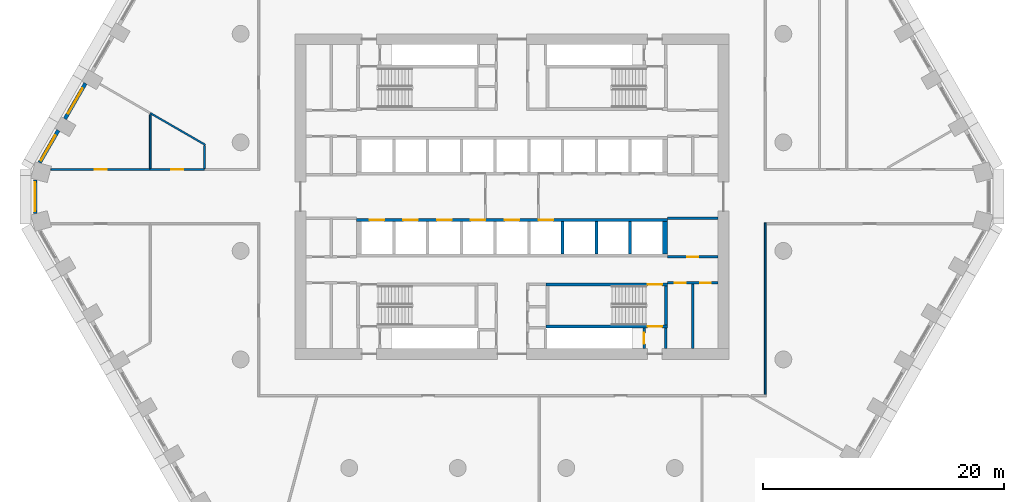
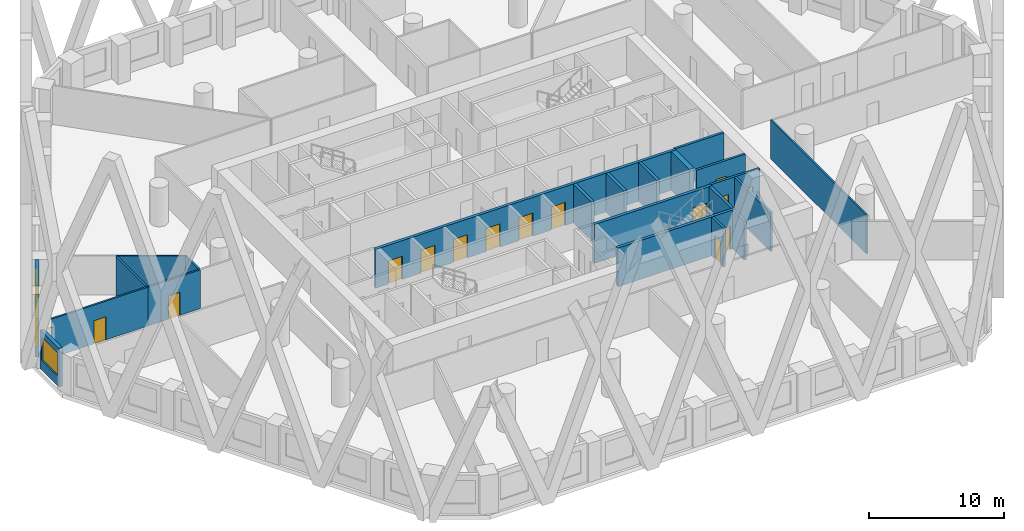
# One storey, part 4 of 18: 23 walls, 14 doors, 3 windows, 17 openings.
"""IFC4 building model written with IfcOpenShell, lengths in metres."""

from ifc_helpers import new_model, si_unit, direction, frame, frame_2d, origin, place, context, subcontext, project, spatial, polyline, rectangle, outline, extrude, material, layer, layer_set, type_object, element, fill, save


model = new_model("IFC4")

# Units and contexts
model_context = context("Model", 3, precision=1e-05, world=origin(), true_north=direction((0.0, 1.0)))
body_context = subcontext(model_context, "Body", "Model", "MODEL_VIEW")
ifc_project = project(units=[si_unit("LENGTHUNIT", "METRE"), si_unit("AREAUNIT", "SQUARE_METRE"), si_unit("VOLUMEUNIT", "CUBIC_METRE"), si_unit("PLANEANGLEUNIT", "RADIAN"), si_unit("MASSUNIT", "GRAM", prefix="KILO")], contexts=[model_context])

# Site, building, storey
site_placement = place(None, origin())
site = spatial("IfcSite", under=ifc_project, at=site_placement, CompositionType="ELEMENT")
building_placement = place(site_placement, origin())
building = spatial("IfcBuilding", under=site, at=building_placement, Name="Dhurran Vertical Campus", CompositionType="ELEMENT")
storey_placement = place(building_placement, frame((0.0, 0.0, 53.39990234375)))
storey = spatial("IfcBuildingStorey", under=building, at=storey_placement, Name="L12", CompositionType="ELEMENT", Elevation=53.39990234375)

# Wall, opening, window
ifc_material_1 = material(Name="Precast concrete C50/60", Category="concrete")
ifc_layer_1 = layer(ifc_material_1, 0.300048828125)
ifc_layer_set_1 = layer_set([ifc_layer_1], Name="Precast concrete C50/60")
wall_type_1 = type_object("IfcWallType", Name="Precast spandrel wall 300", PredefinedType="SOLIDWALL", material=ifc_layer_set_1)
wall_1_placement = place(storey_placement, frame((-35.369384765625, 9.392578125, 0.0), z_axis=(0.0, 0.0, 1.0), x_axis=(-0.499993955907, -0.866028893315, 0.0)))
wall_1 = element("IfcWall", 1, at=wall_1_placement, inside=storey, type_object=wall_type_1, Name="EW1 L12.41", PredefinedType="SOLIDWALL", context=body_context, shape_type="SweptSolid", body=[
    extrude(rectangle(XDim=3.39892578125, YDim=0.300048828125, at=frame_2d((1.699462890625, 0.0))), origin(), (0.0, 0.0, 1.0), 3.525146484375),
])
opening_1_placement = place(wall_1_placement, frame((0.49951171875, 0.0, 0.89990234375)))
opening_1 = element("IfcOpeningElement", 2, at=opening_1_placement, cuts=wall_1, Name="Opening WT1", PredefinedType="OPENING", context=body_context, shape_type="SweptSolid", body=[
    extrude(rectangle(XDim=2.39990234375, YDim=2.10009765625, at=frame_2d((1.199951171875, 1.050048828125))), frame((0.0, 0.159912109375, 0.0), z_axis=(0.0, -1.0, 0.0), x_axis=(1.0, 0.0, 0.0)), (0.0, 0.0, 1.0), 0.320068359375),
])
ifc_material_2 = material(Name="Aluminium frame with solar-control glass", Category="aluminium")
window_type = type_object("IfcWindowType", Name="Punched window 2400 x 2100", PartitioningType="SINGLE_PANEL", PredefinedType="WINDOW", material=ifc_material_2)
window_1_placement = place(opening_1_placement, origin())
window_1 = element("IfcWindow", 3, at=window_1_placement, inside=storey, type_object=window_type, Name="WT1 L12.41", OverallHeight=2.10009765625, OverallWidth=2.39990234375, PartitioningType="SINGLE_PANEL", PredefinedType="WINDOW", context=body_context, shape_type="SweptSolid", body=[
    extrude(rectangle(XDim=2.39990234375, YDim=2.10009765625, at=frame_2d((1.199951171875, 1.050048828125))), frame((0.0, 0.030029296875, 0.0), z_axis=(0.0, -1.0, 0.0), x_axis=(1.0, 0.0, 0.0)), (0.0, 0.0, 1.0), 0.06005859375),
])
fill(opening_1, window_1)

wall_2_placement = place(storey_placement, frame((-37.619384765625, 5.495361328125, 0.0), z_axis=(0.0, 0.0, 1.0), x_axis=(-0.49997090907, -0.866042198789, 0.0)))
wall_2 = element("IfcWall", 4, at=wall_2_placement, inside=storey, type_object=wall_type_1, Name="EW1 L12.42", PredefinedType="SOLIDWALL", context=body_context, shape_type="SweptSolid", body=[
    extrude(rectangle(XDim=3.090576171875, YDim=0.300048828125, at=frame_2d((1.54541015625, 0.0))), origin(), (0.0, 0.0, 1.0), 3.525146484375),
])
opening_2_placement = place(wall_2_placement, frame((0.49951171875, 0.0, 0.89990234375)))
opening_2 = element("IfcOpeningElement", 5, at=opening_2_placement, cuts=wall_2, Name="Opening WT1", PredefinedType="OPENING", context=body_context, shape_type="SweptSolid", body=[
    extrude(rectangle(XDim=2.39990234375, YDim=2.10009765625, at=frame_2d((1.199951171875, 1.050048828125))), frame((0.0, 0.159912109375, 0.0), z_axis=(0.0, -1.0, 0.0), x_axis=(1.0, 0.0, 0.0)), (0.0, 0.0, 1.0), 0.320068359375),
])
window_2_placement = place(opening_2_placement, origin())
window_2 = element("IfcWindow", 6, at=window_2_placement, inside=storey, type_object=window_type, Name="WT1 L12.42", OverallHeight=2.10009765625, OverallWidth=2.39990234375, PartitioningType="SINGLE_PANEL", PredefinedType="WINDOW", context=body_context, shape_type="SweptSolid", body=[
    extrude(rectangle(XDim=2.39990234375, YDim=2.10009765625, at=frame_2d((1.199951171875, 1.050048828125))), frame((0.0, 0.030029296875, 0.0), z_axis=(0.0, -1.0, 0.0), x_axis=(1.0, 0.0, 0.0)), (0.0, 0.0, 1.0), 0.06005859375),
])
fill(opening_2, window_2)

wall_3_placement = place(storey_placement, frame((-39.547119140625, 1.39111328125, 0.0), z_axis=(0.0, 0.0, 1.0), x_axis=(0.0, -1.0, 0.0)))
wall_3 = element("IfcWall", 7, at=wall_3_placement, inside=storey, type_object=wall_type_1, Name="EW1 L12.43", PredefinedType="SOLIDWALL", context=body_context, shape_type="SweptSolid", body=[
    extrude(rectangle(XDim=2.7822265625, YDim=0.300048828125, at=frame_2d((1.39111328125, 0.0))), origin(), (0.0, 0.0, 1.0), 3.525146484375),
])
opening_3_placement = place(wall_3_placement, frame((0.191162109375, 0.0, 0.89990234375)))
opening_3 = element("IfcOpeningElement", 8, at=opening_3_placement, cuts=wall_3, Name="Opening WT1", PredefinedType="OPENING", context=body_context, shape_type="SweptSolid", body=[
    extrude(rectangle(XDim=2.39990234375, YDim=2.10009765625, at=frame_2d((1.199951171875, 1.050048828125))), frame((0.0, 0.159912109375, 0.0), z_axis=(0.0, -1.0, 0.0), x_axis=(1.0, 0.0, 0.0)), (0.0, 0.0, 1.0), 0.320068359375),
])
window_3_placement = place(opening_3_placement, origin())
window_3 = element("IfcWindow", 9, at=window_3_placement, inside=storey, type_object=window_type, Name="WT1 L12.43", OverallHeight=2.10009765625, OverallWidth=2.39990234375, PartitioningType="SINGLE_PANEL", PredefinedType="WINDOW", context=body_context, shape_type="SweptSolid", body=[
    extrude(rectangle(XDim=2.39990234375, YDim=2.10009765625, at=frame_2d((1.199951171875, 1.050048828125))), frame((0.0, 0.030029296875, 0.0), z_axis=(0.0, -1.0, 0.0), x_axis=(1.0, 0.0, 0.0)), (0.0, 0.0, 1.0), 0.06005859375),
])
fill(opening_3, window_3)

# Wall
ifc_material_3 = material(Name="Fire-rated masonry blockwork", Category="masonry")
ifc_layer_2 = layer(ifc_material_3, 0.199951171875)
ifc_layer_set_2 = layer_set([ifc_layer_2], Name="Fire-rated masonry blockwork")
wall_type_2 = type_object("IfcWallType", Name="co-FIRE-PARTITION-200", PredefinedType="PARTITIONING", material=ifc_layer_set_2)
wall_4_placement = place(storey_placement, frame((12.75, -12.60009765625, 0.0), z_axis=(0.0, 0.0, 1.0), x_axis=(0.0, 1.0, 0.0)))
element("IfcWall", 10, at=wall_4_placement, inside=storey, type_object=wall_type_2, Name="Core partition pass-ST4-o L12", PredefinedType="PARTITIONING", context=body_context, shape_type="SweptSolid", body=[
    extrude(rectangle(XDim=1.7001953125, YDim=0.199951171875, at=frame_2d((0.85009765625, 0.0))), origin(), (0.0, 0.0, 1.0), 3.525146484375),
])

# Wall, opening, door
wall_5_placement = place(storey_placement, frame((10.949951171875, -12.60009765625, 0.0), z_axis=(0.0, 0.0, 1.0), x_axis=(0.0, 1.0, 0.0)))
wall_5 = element("IfcWall", 11, at=wall_5_placement, inside=storey, type_object=wall_type_2, Name="Core partition pass-ST4-i L12", PredefinedType="PARTITIONING", context=body_context, shape_type="SweptSolid", body=[
    extrude(rectangle(XDim=1.7001953125, YDim=0.199951171875, at=frame_2d((0.85009765625, 0.0))), origin(), (0.0, 0.0, 1.0), 3.525146484375),
])
opening_4_placement = place(wall_5_placement, frame((0.39990234375, 0.0, 0.0)))
opening_4 = element("IfcOpeningElement", 12, at=opening_4_placement, cuts=wall_5, Name="Opening T03-C13", PredefinedType="OPENING", context=body_context, shape_type="SweptSolid", body=[
    extrude(rectangle(XDim=0.89990234375, YDim=2.10009765625, at=frame_2d((0.449951171875, 1.050048828125))), frame((0.0, 0.10986328125, 0.0), z_axis=(0.0, -1.0, 0.0), x_axis=(1.0, 0.0, 0.0)), (0.0, 0.0, 1.0), 0.219970703125),
])
ifc_material_4 = material(Name="Fire-rated timber door set", Category="wood")
door_type_1 = type_object("IfcDoorType", Name="co-D-ROOM 900x2100", OperationType="SINGLE_SWING_LEFT", PredefinedType="DOOR", material=ifc_material_4)
door_1_placement = place(opening_4_placement, origin())
door_1 = element("IfcDoor", 13, at=door_1_placement, inside=storey, type_object=door_type_1, Name="Riser room door L12", OperationType="SINGLE_SWING_LEFT", OverallHeight=2.10009765625, OverallWidth=0.89990234375, PredefinedType="DOOR", context=body_context, shape_type="SweptSolid", body=[
    extrude(rectangle(XDim=0.89990234375, YDim=2.10009765625, at=frame_2d((0.449951171875, 1.050048828125))), frame((0.0, 0.02490234375, 0.0), z_axis=(0.0, -1.0, 0.0), x_axis=(1.0, 0.0, 0.0)), (0.0, 0.0, 1.0), 0.050048828125),
])
fill(opening_4, door_1)

# Wall
wall_6_placement = place(storey_placement, frame((15.0, -12.60009765625, 0.0), z_axis=(0.0, 0.0, 1.0), x_axis=(0.0, 1.0, 0.0)))
element("IfcWall", 14, at=wall_6_placement, inside=storey, type_object=wall_type_2, Name="Core partition en-SE-cut0 L12", PredefinedType="PARTITIONING", context=body_context, shape_type="SweptSolid", body=[
    extrude(rectangle(XDim=5.4501953125, YDim=0.199951171875, at=frame_2d((2.72509765625, 0.0))), origin(), (0.0, 0.0, 1.0), 3.525146484375),
])

# Wall, openings, doors
wall_7_placement = place(storey_placement, frame((12.89990234375, -7.14990234375, 0.0), z_axis=(0.0, 0.0, 1.0), x_axis=(1.0, 0.0, 0.0)))
wall_7 = element("IfcWall", 15, at=wall_7_placement, inside=storey, type_object=wall_type_2, Name="Core partition en-SE-w L12", PredefinedType="PARTITIONING", context=body_context, shape_type="SweptSolid", body=[
    extrude(rectangle(XDim=4.2001953125, YDim=0.199951171875, at=frame_2d((2.10009765625, 0.0))), origin(), (0.0, 0.0, 1.0), 3.525146484375),
])
opening_5_placement = place(wall_7_placement, frame((0.60009765625, 0.0, 0.0)))
opening_5 = element("IfcOpeningElement", 16, at=opening_5_placement, cuts=wall_7, Name="Opening T03-C25", PredefinedType="OPENING", context=body_context, shape_type="SweptSolid", body=[
    extrude(rectangle(XDim=0.89990234375, YDim=2.10009765625, at=frame_2d((0.449951171875, 1.050048828125))), frame((0.0, 0.10986328125, 0.0), z_axis=(0.0, -1.0, 0.0), x_axis=(1.0, 0.0, 0.0)), (0.0, 0.0, 1.0), 0.219970703125),
])
opening_6_placement = place(wall_7_placement, frame((2.699951171875, 0.0, 0.0)))
opening_6 = element("IfcOpeningElement", 17, at=opening_6_placement, cuts=wall_7, Name="Opening T03-C26", PredefinedType="OPENING", context=body_context, shape_type="SweptSolid", body=[
    extrude(rectangle(XDim=0.89990234375, YDim=2.10009765625, at=frame_2d((0.449951171875, 1.050048828125))), frame((0.0, 0.10986328125, 0.0), z_axis=(0.0, -1.0, 0.0), x_axis=(1.0, 0.0, 0.0)), (0.0, 0.0, 1.0), 0.219970703125),
])
door_2_placement = place(opening_5_placement, origin())
door_2 = element("IfcDoor", 18, at=door_2_placement, inside=storey, type_object=door_type_1, Name="Server room door L12", OperationType="SINGLE_SWING_LEFT", OverallHeight=2.10009765625, OverallWidth=0.89990234375, PredefinedType="DOOR", context=body_context, shape_type="SweptSolid", body=[
    extrude(rectangle(XDim=0.89990234375, YDim=2.10009765625, at=frame_2d((0.449951171875, 1.050048828125))), frame((0.0, 0.02490234375, 0.0), z_axis=(0.0, -1.0, 0.0), x_axis=(1.0, 0.0, 0.0)), (0.0, 0.0, 1.0), 0.050048828125),
])
fill(opening_5, door_2)
door_3_placement = place(opening_6_placement, origin())
door_3 = element("IfcDoor", 19, at=door_3_placement, inside=storey, type_object=door_type_1, Name="Fire equipment store door L12", OperationType="SINGLE_SWING_LEFT", OverallHeight=2.10009765625, OverallWidth=0.89990234375, PredefinedType="DOOR", context=body_context, shape_type="SweptSolid", body=[
    extrude(rectangle(XDim=0.89990234375, YDim=2.10009765625, at=frame_2d((0.449951171875, 1.050048828125))), frame((0.0, 0.02490234375, 0.0), z_axis=(0.0, -1.0, 0.0), x_axis=(1.0, 0.0, 0.0)), (0.0, 0.0, 1.0), 0.050048828125),
])
fill(opening_6, door_3)

# Wall, opening, door
wall_8_placement = place(storey_placement, frame((12.89990234375, -5.0, 0.0), z_axis=(0.0, 0.0, 1.0), x_axis=(1.0, 0.0, 0.0)))
wall_8 = element("IfcWall", 20, at=wall_8_placement, inside=storey, type_object=wall_type_2, Name="Core partition es-SE-w L12", PredefinedType="PARTITIONING", context=body_context, shape_type="SweptSolid", body=[
    extrude(rectangle(XDim=4.2001953125, YDim=0.199951171875, at=frame_2d((2.10009765625, 0.0))), origin(), (0.0, 0.0, 1.0), 3.525146484375),
])
opening_7_placement = place(wall_8_placement, frame((1.64990234375, 0.0, 0.0)))
opening_7 = element("IfcOpeningElement", 21, at=opening_7_placement, cuts=wall_8, Name="Opening T03-C27", PredefinedType="OPENING", context=body_context, shape_type="SweptSolid", body=[
    extrude(rectangle(XDim=0.89990234375, YDim=2.10009765625, at=frame_2d((0.449951171875, 1.050048828125))), frame((0.0, 0.10986328125, 0.0), z_axis=(0.0, -1.0, 0.0), x_axis=(1.0, 0.0, 0.0)), (0.0, 0.0, 1.0), 0.219970703125),
])
door_4_placement = place(opening_7_placement, origin())
door_4 = element("IfcDoor", 22, at=door_4_placement, inside=storey, type_object=door_type_1, Name="Server room door L12", OperationType="SINGLE_SWING_LEFT", OverallHeight=2.10009765625, OverallWidth=0.89990234375, PredefinedType="DOOR", context=body_context, shape_type="SweptSolid", body=[
    extrude(rectangle(XDim=0.89990234375, YDim=2.10009765625, at=frame_2d((0.449951171875, 1.050048828125))), frame((0.0, 0.02490234375, 0.0), z_axis=(0.0, -1.0, 0.0), x_axis=(1.0, 0.0, 0.0)), (0.0, 0.0, 1.0), 0.050048828125),
])
fill(opening_7, door_4)

# Wall
wall_9_placement = place(storey_placement, frame((12.89990234375, -1.800048828125, 0.0), z_axis=(0.0, 0.0, 1.0), x_axis=(1.0, 0.0, 0.0)))
element("IfcWall", 23, at=wall_9_placement, inside=storey, type_object=wall_type_2, Name="Core partition es-SE-l L12", PredefinedType="PARTITIONING", context=body_context, shape_type="SweptSolid", body=[
    extrude(rectangle(XDim=4.2001953125, YDim=0.199951171875, at=frame_2d((2.10009765625, 0.0))), origin(), (0.0, 0.0, 1.0), 3.525146484375),
])

# Wall, openings, doors
ifc_material_5 = material(Name="Concrete C50/60", Category="concrete")
ifc_layer_3 = layer(ifc_material_5, 0.25)
ifc_layer_set_3 = layer_set([ifc_layer_3], Name="Concrete C50/60")
wall_type_3 = type_object("IfcWallType", Name="co-SHAFT-FRONT-250", PredefinedType="SHEAR", material=ifc_layer_set_3)
wall_10_placement = place(storey_placement, frame((-12.89990234375, -1.925048828125, 0.0), z_axis=(0.0, 0.0, 1.0), x_axis=(1.0, 0.0, 0.0)))
wall_10 = element("IfcWall", 24, at=wall_10_placement, inside=storey, type_object=wall_type_3, Name="Lift landing wall S L12", PredefinedType="SHEAR", context=body_context, shape_type="SweptSolid", body=[
    extrude(rectangle(XDim=25.7998046875, YDim=0.25, at=frame_2d((12.89990234375, 0.0))), origin(), (0.0, 0.0, 1.0), 3.525146484375),
])
opening_8_placement = place(wall_10_placement, frame((1.10009765625, 0.0, 0.0)))
opening_8 = element("IfcOpeningElement", 25, at=opening_8_placement, cuts=wall_10, Name="Opening LD", PredefinedType="OPENING", context=body_context, shape_type="SweptSolid", body=[
    extrude(rectangle(XDim=1.199951171875, YDim=2.10009765625, at=frame_2d((0.60009765625, 1.050048828125))), frame((0.0, 0.135009765625, 0.0), z_axis=(0.0, -1.0, 0.0), x_axis=(1.0, 0.0, 0.0)), (0.0, 0.0, 1.0), 0.27001953125),
])
opening_9_placement = place(wall_10_placement, frame((3.89990234375, 0.0, 0.0)))
opening_9 = element("IfcOpeningElement", 26, at=opening_9_placement, cuts=wall_10, Name="Opening LD", PredefinedType="OPENING", context=body_context, shape_type="SweptSolid", body=[
    extrude(rectangle(XDim=1.199951171875, YDim=2.10009765625, at=frame_2d((0.60009765625, 1.050048828125))), frame((0.0, 0.135009765625, 0.0), z_axis=(0.0, -1.0, 0.0), x_axis=(1.0, 0.0, 0.0)), (0.0, 0.0, 1.0), 0.27001953125),
])
opening_10_placement = place(wall_10_placement, frame((6.699951171875, 0.0, 0.0)))
opening_10 = element("IfcOpeningElement", 27, at=opening_10_placement, cuts=wall_10, Name="Opening LD", PredefinedType="OPENING", context=body_context, shape_type="SweptSolid", body=[
    extrude(rectangle(XDim=1.199951171875, YDim=2.10009765625, at=frame_2d((0.60009765625, 1.050048828125))), frame((0.0, 0.135009765625, 0.0), z_axis=(0.0, -1.0, 0.0), x_axis=(1.0, 0.0, 0.0)), (0.0, 0.0, 1.0), 0.27001953125),
])
opening_11_placement = place(wall_10_placement, frame((9.5, 0.0, 0.0)))
opening_11 = element("IfcOpeningElement", 28, at=opening_11_placement, cuts=wall_10, Name="Opening LD", PredefinedType="OPENING", context=body_context, shape_type="SweptSolid", body=[
    extrude(rectangle(XDim=1.199951171875, YDim=2.10009765625, at=frame_2d((0.60009765625, 1.050048828125))), frame((0.0, 0.135009765625, 0.0), z_axis=(0.0, -1.0, 0.0), x_axis=(1.0, 0.0, 0.0)), (0.0, 0.0, 1.0), 0.27001953125),
])
opening_12_placement = place(wall_10_placement, frame((12.300048828125, 0.0, 0.0)))
opening_12 = element("IfcOpeningElement", 29, at=opening_12_placement, cuts=wall_10, Name="Opening LD", PredefinedType="OPENING", context=body_context, shape_type="SweptSolid", body=[
    extrude(rectangle(XDim=1.199951171875, YDim=2.10009765625, at=frame_2d((0.60009765625, 1.050048828125))), frame((0.0, 0.135009765625, 0.0), z_axis=(0.0, -1.0, 0.0), x_axis=(1.0, 0.0, 0.0)), (0.0, 0.0, 1.0), 0.27001953125),
])
opening_13_placement = place(wall_10_placement, frame((15.10009765625, 0.0, 0.0)))
opening_13 = element("IfcOpeningElement", 30, at=opening_13_placement, cuts=wall_10, Name="Opening LD", PredefinedType="OPENING", context=body_context, shape_type="SweptSolid", body=[
    extrude(rectangle(XDim=1.199951171875, YDim=2.10009765625, at=frame_2d((0.60009765625, 1.050048828125))), frame((0.0, 0.135009765625, 0.0), z_axis=(0.0, -1.0, 0.0), x_axis=(1.0, 0.0, 0.0)), (0.0, 0.0, 1.0), 0.27001953125),
])
ifc_material_6 = material(Name="Stainless steel landing door", Category="steel")
door_type_2 = type_object("IfcDoorType", Name="co-D-LANDING 1200x2100", OperationType="DOUBLE_DOOR_SLIDING", PredefinedType="DOOR", material=ifc_material_6)
door_5_placement = place(opening_8_placement, origin())
door_5 = element("IfcDoor", 31, at=door_5_placement, inside=storey, type_object=door_type_2, Name="Landing door LR5 L12", OperationType="DOUBLE_DOOR_SLIDING", OverallHeight=2.10009765625, OverallWidth=1.199951171875, PredefinedType="DOOR", context=body_context, shape_type="SweptSolid", body=[
    extrude(rectangle(XDim=1.199951171875, YDim=2.10009765625, at=frame_2d((0.60009765625, 1.050048828125))), frame((0.0, 0.02490234375, 0.0), z_axis=(0.0, -1.0, 0.0), x_axis=(1.0, 0.0, 0.0)), (0.0, 0.0, 1.0), 0.050048828125),
])
fill(opening_8, door_5)
door_6_placement = place(opening_9_placement, origin())
door_6 = element("IfcDoor", 32, at=door_6_placement, inside=storey, type_object=door_type_2, Name="Landing door LR6 L12", OperationType="DOUBLE_DOOR_SLIDING", OverallHeight=2.10009765625, OverallWidth=1.199951171875, PredefinedType="DOOR", context=body_context, shape_type="SweptSolid", body=[
    extrude(rectangle(XDim=1.199951171875, YDim=2.10009765625, at=frame_2d((0.60009765625, 1.050048828125))), frame((0.0, 0.02490234375, 0.0), z_axis=(0.0, -1.0, 0.0), x_axis=(1.0, 0.0, 0.0)), (0.0, 0.0, 1.0), 0.050048828125),
])
fill(opening_9, door_6)
door_7_placement = place(opening_10_placement, origin())
door_7 = element("IfcDoor", 33, at=door_7_placement, inside=storey, type_object=door_type_2, Name="Landing door LR7 L12", OperationType="DOUBLE_DOOR_SLIDING", OverallHeight=2.10009765625, OverallWidth=1.199951171875, PredefinedType="DOOR", context=body_context, shape_type="SweptSolid", body=[
    extrude(rectangle(XDim=1.199951171875, YDim=2.10009765625, at=frame_2d((0.60009765625, 1.050048828125))), frame((0.0, 0.02490234375, 0.0), z_axis=(0.0, -1.0, 0.0), x_axis=(1.0, 0.0, 0.0)), (0.0, 0.0, 1.0), 0.050048828125),
])
fill(opening_10, door_7)
door_8_placement = place(opening_11_placement, origin())
door_8 = element("IfcDoor", 34, at=door_8_placement, inside=storey, type_object=door_type_2, Name="Landing door LR8 L12", OperationType="DOUBLE_DOOR_SLIDING", OverallHeight=2.10009765625, OverallWidth=1.199951171875, PredefinedType="DOOR", context=body_context, shape_type="SweptSolid", body=[
    extrude(rectangle(XDim=1.199951171875, YDim=2.10009765625, at=frame_2d((0.60009765625, 1.050048828125))), frame((0.0, 0.02490234375, 0.0), z_axis=(0.0, -1.0, 0.0), x_axis=(1.0, 0.0, 0.0)), (0.0, 0.0, 1.0), 0.050048828125),
])
fill(opening_11, door_8)
door_9_placement = place(opening_12_placement, origin())
door_9 = element("IfcDoor", 35, at=door_9_placement, inside=storey, type_object=door_type_2, Name="Landing door FF2 L12", OperationType="DOUBLE_DOOR_SLIDING", OverallHeight=2.10009765625, OverallWidth=1.199951171875, PredefinedType="DOOR", context=body_context, shape_type="SweptSolid", body=[
    extrude(rectangle(XDim=1.199951171875, YDim=2.10009765625, at=frame_2d((0.60009765625, 1.050048828125))), frame((0.0, 0.02490234375, 0.0), z_axis=(0.0, -1.0, 0.0), x_axis=(1.0, 0.0, 0.0)), (0.0, 0.0, 1.0), 0.050048828125),
])
fill(opening_12, door_9)
door_10_placement = place(opening_13_placement, origin())
door_10 = element("IfcDoor", 36, at=door_10_placement, inside=storey, type_object=door_type_2, Name="Landing door SV1 L12", OperationType="DOUBLE_DOOR_SLIDING", OverallHeight=2.10009765625, OverallWidth=1.199951171875, PredefinedType="DOOR", context=body_context, shape_type="SweptSolid", body=[
    extrude(rectangle(XDim=1.199951171875, YDim=2.10009765625, at=frame_2d((0.60009765625, 1.050048828125))), frame((0.0, 0.02490234375, 0.0), z_axis=(0.0, -1.0, 0.0), x_axis=(1.0, 0.0, 0.0)), (0.0, 0.0, 1.0), 0.050048828125),
])
fill(opening_13, door_10)

# Walls
ifc_material_7 = material(Name="Concrete C50/60", Category="concrete")
ifc_layer_4 = layer(ifc_material_7, 0.25)
ifc_layer_set_4 = layer_set([ifc_layer_4], Name="Concrete C50/60")
wall_type_4 = type_object("IfcWallType", Name="co-SHAFT-MASS-250", PredefinedType="SHEAR", material=ifc_layer_set_4)
wall_11_placement = place(storey_placement, origin())
element("IfcWall", 37, at=wall_11_placement, inside=storey, type_object=wall_type_4, Name="Lift shaft wall S L12 8", PredefinedType="SHEAR", context=body_context, shape_type="SweptSolid", body=[
    extrude(outline(polyline([(4.074951171875, -4.75), (4.324951171875, -4.75), (4.324951171875, -2.050048828125), (4.074951171875, -2.050048828125), (4.074951171875, -4.75)])), origin(), (0.0, 0.0, 1.0), 3.525146484375),
])
wall_12_placement = place(storey_placement, origin())
element("IfcWall", 38, at=wall_12_placement, inside=storey, type_object=wall_type_4, Name="Lift shaft wall S L12 9", PredefinedType="SHEAR", context=body_context, shape_type="SweptSolid", body=[
    extrude(outline(polyline([(6.875, -4.75), (7.125, -4.75), (7.125, -2.050048828125), (6.875, -2.050048828125), (6.875, -4.75)])), origin(), (0.0, 0.0, 1.0), 3.525146484375),
])
wall_13_placement = place(storey_placement, origin())
element("IfcWall", 39, at=wall_13_placement, inside=storey, type_object=wall_type_4, Name="Lift shaft wall S L12 10", PredefinedType="SHEAR", context=body_context, shape_type="SweptSolid", body=[
    extrude(outline(polyline([(9.675048828125, -4.75), (9.925048828125, -4.75), (9.925048828125, -2.050048828125), (9.675048828125, -2.050048828125), (9.675048828125, -4.75)])), origin(), (0.0, 0.0, 1.0), 3.525146484375),
])
wall_14_placement = place(storey_placement, origin())
element("IfcWall", 40, at=wall_14_placement, inside=storey, type_object=wall_type_4, Name="Lift shaft wall S L12 11", PredefinedType="SHEAR", context=body_context, shape_type="SweptSolid", body=[
    extrude(outline(polyline([(12.47509765625, -4.75), (12.89990234375, -4.75), (12.89990234375, -2.050048828125), (12.47509765625, -2.050048828125), (12.47509765625, -4.75)])), origin(), (0.0, 0.0, 1.0), 3.525146484375),
])

# Wall, opening, door
ifc_material_8 = material(Name="Concrete C40/50", Category="concrete")
ifc_layer_5 = layer(ifc_material_8, 0.25)
ifc_layer_set_5 = layer_set([ifc_layer_5], Name="Concrete C40/50")
wall_type_5 = type_object("IfcWallType", Name="co-STAIR-WALL-250", PredefinedType="SHEAR", material=ifc_layer_set_5)
wall_15_placement = place(storey_placement, frame((2.800048828125, -10.77490234375, 0.0), z_axis=(0.0, 0.0, 1.0), x_axis=(1.0, 0.0, 0.0)))
wall_15 = element("IfcWall", 41, at=wall_15_placement, inside=storey, type_object=wall_type_5, Name="Stair ST4 enclosure wall L12", PredefinedType="SHEAR", context=body_context, shape_type="SweptSolid", body=[
    extrude(rectangle(XDim=10.099853515625, YDim=0.25, at=frame_2d((5.0498046875, 0.0))), origin(), (0.0, 0.0, 1.0), 3.525146484375),
])
opening_14_placement = place(wall_15_placement, frame((8.449951171875, 0.0, 0.0)))
opening_14 = element("IfcOpeningElement", 42, at=opening_14_placement, cuts=wall_15, Name="Opening XS4", PredefinedType="OPENING", context=body_context, shape_type="SweptSolid", body=[
    extrude(rectangle(XDim=1.199951171875, YDim=2.10009765625, at=frame_2d((0.60009765625, 1.050048828125))), frame((0.0, 0.135009765625, 0.0), z_axis=(0.0, -1.0, 0.0), x_axis=(1.0, 0.0, 0.0)), (0.0, 0.0, 1.0), 0.27001953125),
])
ifc_material_9 = material(Name="Fire-rated steel door set", Category="steel")
door_type_3 = type_object("IfcDoorType", Name="co-D-STAIR-EXIT 1200x2100", OperationType="SINGLE_SWING_RIGHT", PredefinedType="DOOR", material=ifc_material_9)
door_11_placement = place(opening_14_placement, origin())
door_11 = element("IfcDoor", 43, at=door_11_placement, inside=storey, type_object=door_type_3, Name="Stair ST4 discharge door L12", OperationType="SINGLE_SWING_RIGHT", OverallHeight=2.10009765625, OverallWidth=1.199951171875, PredefinedType="DOOR", context=body_context, shape_type="SweptSolid", body=[
    extrude(rectangle(XDim=1.199951171875, YDim=2.10009765625, at=frame_2d((0.60009765625, 1.050048828125))), frame((0.0, 0.02490234375, 0.0), z_axis=(0.0, -1.0, 0.0), x_axis=(1.0, 0.0, 0.0)), (0.0, 0.0, 1.0), 0.050048828125),
])
fill(opening_14, door_11)

wall_16_placement = place(storey_placement, frame((2.800048828125, -7.27490234375, 0.0), z_axis=(0.0, 0.0, 1.0), x_axis=(1.0, 0.0, 0.0)))
wall_16 = element("IfcWall", 44, at=wall_16_placement, inside=storey, type_object=wall_type_5, Name="Stair ST4 enclosure wall L12", PredefinedType="SHEAR", context=body_context, shape_type="SweptSolid", body=[
    extrude(rectangle(XDim=10.099853515625, YDim=0.25, at=frame_2d((5.0498046875, 0.0))), origin(), (0.0, 0.0, 1.0), 3.525146484375),
])
opening_15_placement = place(wall_16_placement, frame((8.449951171875, 0.0, 0.0)))
opening_15 = element("IfcOpeningElement", 45, at=opening_15_placement, cuts=wall_16, Name="Opening SD4", PredefinedType="OPENING", context=body_context, shape_type="SweptSolid", body=[
    extrude(rectangle(XDim=1.199951171875, YDim=2.10009765625, at=frame_2d((0.60009765625, 1.050048828125))), frame((0.0, 0.135009765625, 0.0), z_axis=(0.0, -1.0, 0.0), x_axis=(1.0, 0.0, 0.0)), (0.0, 0.0, 1.0), 0.27001953125),
])
ifc_material_10 = material(Name="Fire-rated steel door set", Category="steel")
door_type_4 = type_object("IfcDoorType", Name="co-D-STAIR 1200x2100", OperationType="SINGLE_SWING_LEFT", PredefinedType="DOOR", material=ifc_material_10)
door_12_placement = place(opening_15_placement, origin())
door_12 = element("IfcDoor", 46, at=door_12_placement, inside=storey, type_object=door_type_4, Name="Stair ST4 door L12", OperationType="SINGLE_SWING_LEFT", OverallHeight=2.10009765625, OverallWidth=1.199951171875, PredefinedType="DOOR", context=body_context, shape_type="SweptSolid", body=[
    extrude(rectangle(XDim=1.199951171875, YDim=2.10009765625, at=frame_2d((0.60009765625, 1.050048828125))), frame((0.0, 0.02490234375, 0.0), z_axis=(0.0, -1.0, 0.0), x_axis=(1.0, 0.0, 0.0)), (0.0, 0.0, 1.0), 0.050048828125),
])
fill(opening_15, door_12)

# Wall
wall_17_placement = place(storey_placement, frame((12.77490234375, -10.64990234375, 0.0), z_axis=(0.0, 0.0, 1.0), x_axis=(0.0, 1.0, 0.0)))
element("IfcWall", 47, at=wall_17_placement, inside=storey, type_object=wall_type_5, Name="Stair ST4 enclosure wall L12", PredefinedType="SHEAR", context=body_context, shape_type="SweptSolid", body=[
    extrude(rectangle(XDim=3.25, YDim=0.25, at=frame_2d((1.625, 0.0))), origin(), (0.0, 0.0, 1.0), 3.525146484375),
])

# Wall, opening, door
ifc_material_11 = material(Name="Gypsum board corridor wall on steel studs", Category="steel")
ifc_layer_6 = layer(ifc_material_11, 0.14990234375)
ifc_layer_set_6 = layer_set([ifc_layer_6], Name="Gypsum board corridor wall on steel studs")
wall_type_6 = type_object("IfcWallType", Name="fl-CW-150 corridor wall", PredefinedType="PARTITIONING", material=ifc_layer_set_6)
wall_18_placement = place(storey_placement, frame((-38.23291015625, 2.25, 0.0), z_axis=(0.0, 0.0, 1.0), x_axis=(1.0, 0.0, 0.0)))
wall_18 = element("IfcWall", 48, at=wall_18_placement, inside=storey, type_object=wall_type_6, Name="Partition 12-02", PredefinedType="PARTITIONING", context=body_context, shape_type="SweptSolid", body=[
    extrude(rectangle(XDim=8.23291015625, YDim=0.14990234375, at=frame_2d((4.116455078125, 0.0))), origin(), (0.0, 0.0, 1.0), 3.525146484375),
])
opening_16_placement = place(wall_18_placement, frame((3.616455078125, 0.0, 0.0)))
opening_16 = element("IfcOpeningElement", 49, at=opening_16_placement, cuts=wall_18, Name="Opening T03.01", PredefinedType="OPENING", context=body_context, shape_type="SweptSolid", body=[
    extrude(rectangle(XDim=1.0, YDim=2.10009765625, at=frame_2d((0.5, 1.050048828125))), frame((0.0, 0.0849609375, 0.0), z_axis=(0.0, -1.0, 0.0), x_axis=(1.0, 0.0, 0.0)), (0.0, 0.0, 1.0), 0.169921875),
])
ifc_material_12 = material(Name="Solid-core timber door set, fire-rated", Category="wood")
door_type_5 = type_object("IfcDoorType", Name="fl-D-1000x2100", OperationType="SINGLE_SWING_LEFT", PredefinedType="DOOR", material=ifc_material_12)
door_13_placement = place(opening_16_placement, origin())
door_13 = element("IfcDoor", 50, at=door_13_placement, inside=storey, type_object=door_type_5, Name="Door 12.01", OperationType="SINGLE_SWING_LEFT", OverallHeight=2.10009765625, OverallWidth=1.0, PredefinedType="DOOR", context=body_context, shape_type="SweptSolid", body=[
    extrude(rectangle(XDim=1.0, YDim=2.10009765625, at=frame_2d((0.5, 1.050048828125))), frame((0.0, 0.02490234375, 0.0), z_axis=(0.0, -1.0, 0.0), x_axis=(1.0, 0.0, 0.0)), (0.0, 0.0, 1.0), 0.050048828125),
])
fill(opening_16, door_13)

wall_19_placement = place(storey_placement, frame((-30.0, 2.25, 0.0), z_axis=(0.0, 0.0, 1.0), x_axis=(1.0, 0.0, 0.0)))
wall_19 = element("IfcWall", 51, at=wall_19_placement, inside=storey, type_object=wall_type_6, Name="Partition 12-08", PredefinedType="PARTITIONING", context=body_context, shape_type="SweptSolid", body=[
    extrude(rectangle(XDim=4.5, YDim=0.14990234375, at=frame_2d((2.25, 0.0))), origin(), (0.0, 0.0, 1.0), 3.525146484375),
])
opening_17_placement = place(wall_19_placement, frame((1.75, 0.0, 0.0)))
opening_17 = element("IfcOpeningElement", 52, at=opening_17_placement, cuts=wall_19, Name="Opening T03.03", PredefinedType="OPENING", context=body_context, shape_type="SweptSolid", body=[
    extrude(rectangle(XDim=1.0, YDim=2.10009765625, at=frame_2d((0.5, 1.050048828125))), frame((0.0, 0.0849609375, 0.0), z_axis=(0.0, -1.0, 0.0), x_axis=(1.0, 0.0, 0.0)), (0.0, 0.0, 1.0), 0.169921875),
])
door_14_placement = place(opening_17_placement, origin())
door_14 = element("IfcDoor", 53, at=door_14_placement, inside=storey, type_object=door_type_5, Name="Door 12.03", OperationType="SINGLE_SWING_RIGHT", OverallHeight=2.10009765625, OverallWidth=1.0, PredefinedType="DOOR", context=body_context, shape_type="SweptSolid", body=[
    extrude(rectangle(XDim=1.0, YDim=2.10009765625, at=frame_2d((0.5, 1.050048828125))), frame((0.0, 0.02490234375, 0.0), z_axis=(0.0, -1.0, 0.0), x_axis=(1.0, 0.0, 0.0)), (0.0, 0.0, 1.0), 0.050048828125),
])
fill(opening_17, door_14)

# Walls
wall_20_placement = place(storey_placement, frame((21.0, -16.425048828125, 0.0), z_axis=(0.0, 0.0, 1.0), x_axis=(0.0, 1.0, 0.0)))
element("IfcWall", 54, at=wall_20_placement, inside=storey, type_object=wall_type_6, Name="Partition 12-41", PredefinedType="PARTITIONING", context=body_context, shape_type="SweptSolid", body=[
    extrude(rectangle(XDim=14.25, YDim=0.14990234375, at=frame_2d((7.125, 0.0))), origin(), (0.0, 0.0, 1.0), 3.525146484375),
])
ifc_material_13 = material(Name="Gypsum board partition on steel studs", Category="steel")
ifc_layer_7 = layer(ifc_material_13, 0.14990234375)
ifc_layer_set_7 = layer_set([ifc_layer_7], Name="Gypsum board partition on steel studs")
wall_type_7 = type_object("IfcWallType", Name="fl-PW-150 fixed partition", PredefinedType="PARTITIONING", material=ifc_layer_set_7)
wall_21_placement = place(storey_placement, frame((-30.0, 6.798095703125, 0.0), z_axis=(0.0, 0.0, 1.0), x_axis=(0.0, -1.0, 0.0)))
element("IfcWall", 55, at=wall_21_placement, inside=storey, type_object=wall_type_7, Name="Partition 12-07", PredefinedType="PARTITIONING", context=body_context, shape_type="SweptSolid", body=[
    extrude(rectangle(XDim=4.47314453125, YDim=0.14990234375, at=frame_2d((2.236572265625, 0.0))), origin(), (0.0, 0.0, 1.0), 3.525146484375),
])
wall_22_placement = place(storey_placement, frame((-30.0, 6.927978515625, 0.0), z_axis=(0.0, 0.0, 1.0), x_axis=(0.866031326857, -0.499989740797, 0.0)))
element("IfcWall", 56, at=wall_22_placement, inside=storey, type_object=wall_type_7, Name="Partition 12-09", PredefinedType="PARTITIONING", context=body_context, shape_type="SweptSolid", body=[
    extrude(rectangle(XDim=5.27099609375, YDim=0.14990234375, at=frame_2d((2.635498046875, 0.0))), origin(), (0.0, 0.0, 1.0), 3.525146484375),
])
wall_23_placement = place(storey_placement, frame((-25.5, 4.22998046875, 0.0), z_axis=(0.0, 0.0, 1.0), x_axis=(0.0, -1.0, 0.0)))
element("IfcWall", 57, at=wall_23_placement, inside=storey, type_object=wall_type_7, Name="Partition 12-10", PredefinedType="PARTITIONING", context=body_context, shape_type="SweptSolid", body=[
    extrude(rectangle(XDim=1.905029296875, YDim=0.14990234375, at=frame_2d((0.95263671875, 0.0))), origin(), (0.0, 0.0, 1.0), 3.525146484375),
])

save(model, "model.ifc")
